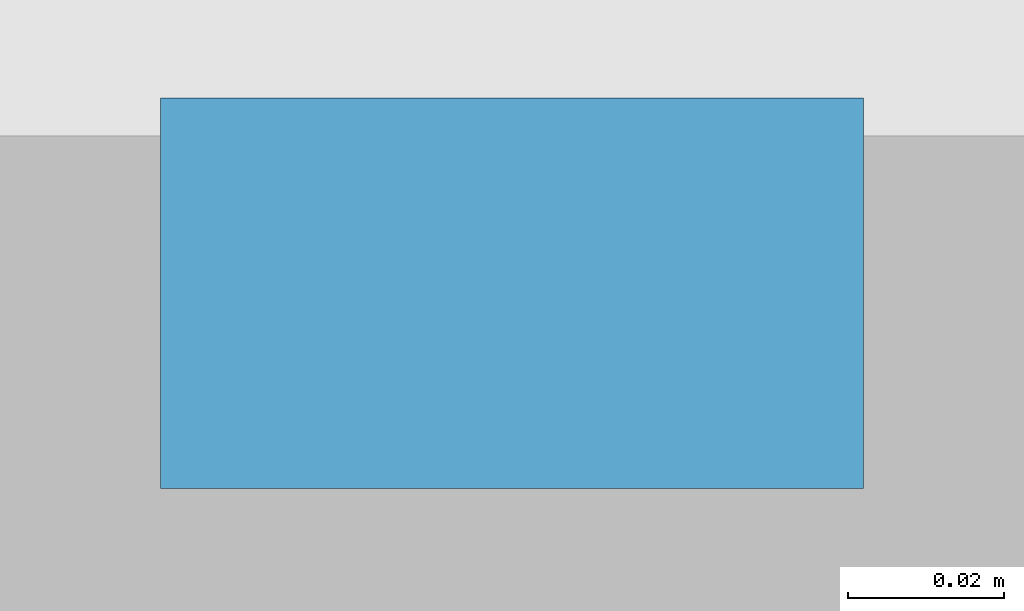
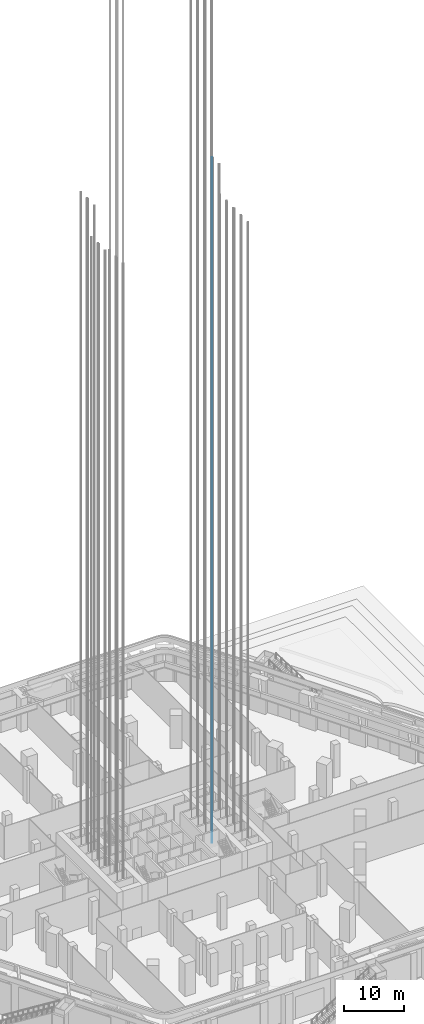
# One storey, part 59 of 68: 1 discrete accessory.
"""IFC4 building model written with IfcOpenShell, lengths in metres."""

from ifc_helpers import new_model, si_unit, direction, frame, origin, origin_2d, place, context, subcontext, project, spatial, rectangle, extrude, element, save


model = new_model("IFC4")

# Units and contexts
model_context = context("Model", 3, precision=1e-05, world=origin(), true_north=direction((0.0, 1.0)))
body_context = subcontext(model_context, "Body", "Model", "MODEL_VIEW")
ifc_project = project(units=[si_unit("LENGTHUNIT", "METRE"), si_unit("AREAUNIT", "SQUARE_METRE"), si_unit("VOLUMEUNIT", "CUBIC_METRE"), si_unit("PLANEANGLEUNIT", "RADIAN"), si_unit("MASSUNIT", "GRAM", prefix="KILO")], contexts=[model_context])

# Site, building, storey
site_placement = place(None, origin())
site = spatial("IfcSite", under=ifc_project, at=site_placement, CompositionType="ELEMENT")
building_placement = place(site_placement, origin())
building = spatial("IfcBuilding", under=site, at=building_placement, Name="Kolab Exchange Tower", CompositionType="ELEMENT")
storey_placement = place(building_placement, origin())
storey = spatial("IfcBuildingStorey", under=building, at=storey_placement, Name="L00", CompositionType="ELEMENT", Elevation=0.0)

# Discrete accessory
discrete_accessory_placement = place(storey_placement, frame((12.0, 4.929931640625, -1.599853515625), z_axis=(0.0, 0.0, 1.0), x_axis=(1.0, 0.0, 0.0)))
element("IfcDiscreteAccessory", 1, at=discrete_accessory_placement, inside=storey, Name="Guide rail SH2-1", ObjectType="GUIDE RAIL", PredefinedType="USERDEFINED", context=body_context, shape_type="SweptSolid", body=[
    extrude(rectangle(XDim=0.090087890625, YDim=0.050048828125, at=origin_2d()), origin(), (0.0, 0.0, 1.0), 139.39990234375),
])

save(model, "model.ifc")
